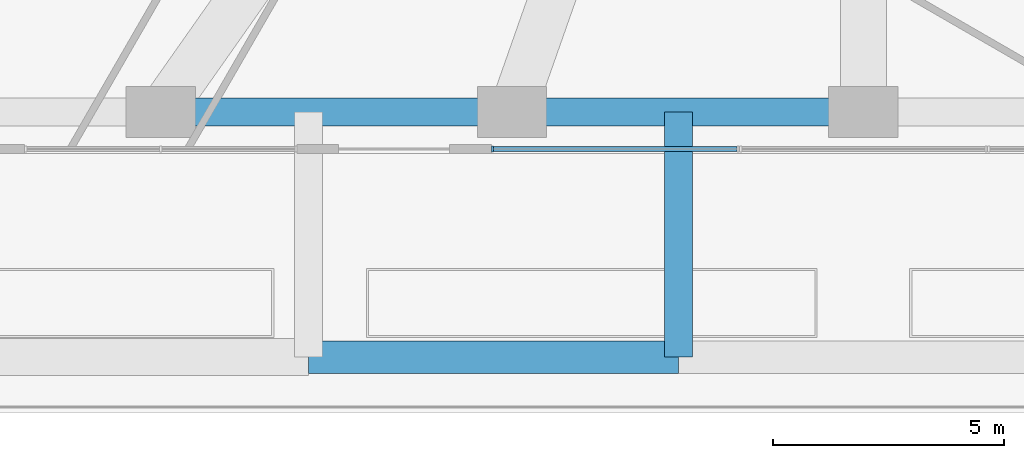
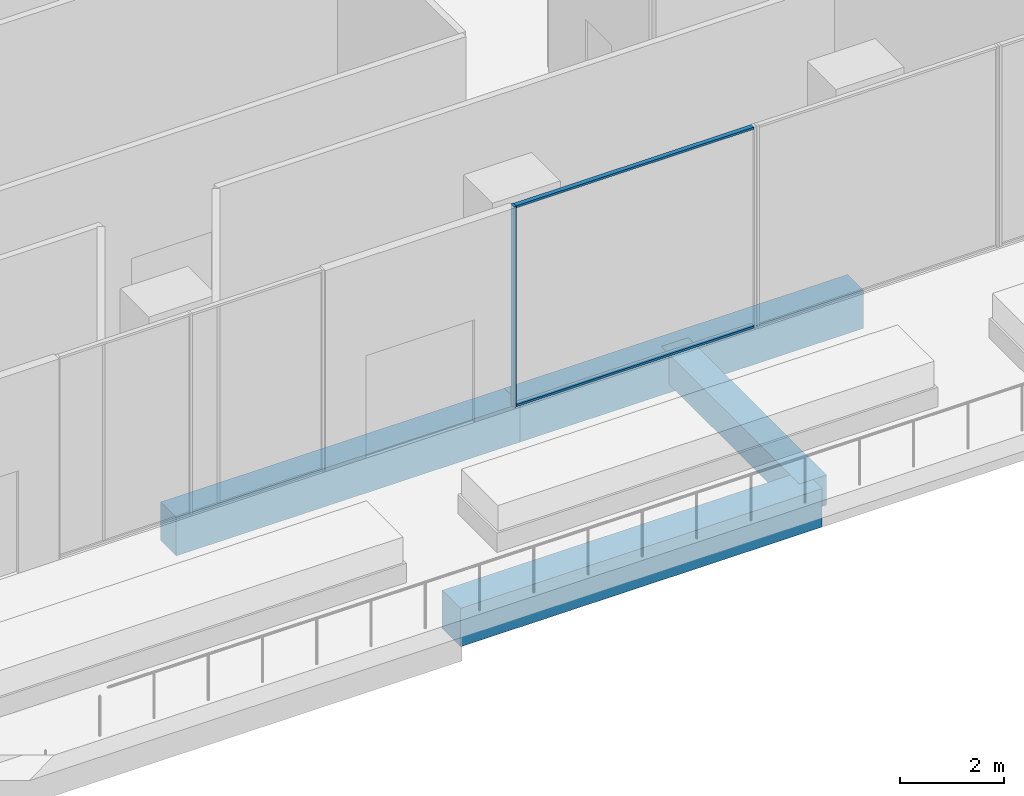
# One storey, part 4 of 28: 4 beams, 3 members, 1 element without a shape of its own.
"""IFC4 building model written with IfcOpenShell, lengths in metres."""

from ifc_helpers import new_model, si_unit, direction, frame, origin, origin_2d, place, context, subcontext, project, spatial, rectangle, extrude, material, layer, layer_set, material_profile, profile_set, type_object, element, aggregate, save


model = new_model("IFC4")

# Units and contexts
model_context = context("Model", 3, precision=1e-05, world=origin(), true_north=direction((0.0, 1.0)))
body_context = subcontext(model_context, "Body", "Model", "MODEL_VIEW")
ifc_project = project(units=[si_unit("LENGTHUNIT", "METRE"), si_unit("AREAUNIT", "SQUARE_METRE"), si_unit("VOLUMEUNIT", "CUBIC_METRE"), si_unit("PLANEANGLEUNIT", "RADIAN"), si_unit("MASSUNIT", "GRAM", prefix="KILO")], contexts=[model_context])

# Site, building, storey
site_placement = place(None, origin())
site = spatial("IfcSite", under=ifc_project, at=site_placement, CompositionType="ELEMENT")
building_placement = place(site_placement, origin())
building = spatial("IfcBuilding", under=site, at=building_placement, Name="Triada Interchange Tower", CompositionType="ELEMENT")
storey_placement = place(building_placement, frame((0.0, 0.0, 30.300048828125)))
storey = spatial("IfcBuildingStorey", under=building, at=storey_placement, Name="L05", CompositionType="ELEMENT", Elevation=30.300048828125)

# Curtain wall, member
ifc_material_1 = material(Name="Aluminium framed glazing", Category="aluminium")
ifc_layer = layer(ifc_material_1, 0.199951171875)
ifc_layer_set = layer_set([ifc_layer], Name="Curtain wall Winter garden glazing")
curtain_wall_type = type_object("IfcCurtainWallType", Name="Curtain wall Winter garden glazing", PredefinedType="NOTDEFINED", material=ifc_layer_set)
curtain_wall_placement = place(storey_placement, origin())
curtain_wall = element("IfcCurtainWall", 1, at=curtain_wall_placement, inside=storey, type_object=curtain_wall_type, Name="Winter garden glazing CW004 L05", PredefinedType="NOTDEFINED")
ifc_material_2 = material(Name="Aluminium", Category="aluminium")
ifc_material_profile_1 = material_profile(ifc_material_2, rectangle(XDim=0.1201171875, YDim=0.050048828125, at=origin_2d()), Name="Aluminium mullion")
ifc_profile_set_1 = profile_set([ifc_material_profile_1], Name="Aluminium")
member_type_1 = type_object("IfcMemberType", Name="Mullion Winter garden glazing 120x50", PredefinedType="MULLION", material=ifc_profile_set_1)
member_1_placement = place(storey_placement, frame((-8.02099609375, -22.39990234375, 0.0), z_axis=(0.0, 0.0, 1.0), x_axis=(0.0, 1.0, 0.0)))
member_1 = element("IfcMember", 2, at=member_1_placement, type_object=member_type_1, Name="CW004 mullion 1", PredefinedType="MULLION", context=body_context, shape_type="SweptSolid", body=[
    extrude(rectangle(XDim=0.1201171875, YDim=0.050048828125, at=origin_2d()), origin(), (0.0, 0.0, 1.0), 4.699951171875),
])

# Beams
ifc_material_3 = material(Name="Concrete C50/60", Category="concrete")
ifc_material_profile_2 = material_profile(ifc_material_3, rectangle(XDim=0.60009765625, YDim=0.89990234375, at=origin_2d()), Name="RC 600x900")
ifc_profile_set_2 = profile_set([ifc_material_profile_2], Name="Concrete C50/60")
beam_type_1 = type_object("IfcBeamType", Name="Spandrel beam P RC 600x900", PredefinedType="BEAM", material=ifc_profile_set_2)
beam_1_placement = place(storey_placement, frame((-15.197998046875, -21.60009765625, -0.85009765625), z_axis=(1.0, 0.0, 0.0), x_axis=(0.0, 1.0, 0.0)))
element("IfcBeam", 3, at=beam_1_placement, inside=storey, type_object=beam_type_1, Name="Spandrel beam EP13 L05", PredefinedType="BEAM", context=body_context, shape_type="SweptSolid", body=[
    extrude(rectangle(XDim=0.60009765625, YDim=0.89990234375, at=origin_2d()), origin(), (0.0, 0.0, 1.0), 7.598876953125),
])
beam_2_placement = place(storey_placement, frame((-7.59912109375, -21.60009765625, -0.85009765625), z_axis=(1.0, 0.0, 0.0), x_axis=(0.0, 1.0, 0.0)))
element("IfcBeam", 4, at=beam_2_placement, inside=storey, type_object=beam_type_1, Name="Spandrel beam EP14 L05", PredefinedType="BEAM", context=body_context, shape_type="SweptSolid", body=[
    extrude(rectangle(XDim=0.60009765625, YDim=0.89990234375, at=origin_2d()), origin(), (0.0, 0.0, 1.0), 7.59912109375),
])
ifc_material_4 = material(Name="Concrete C40/50", Category="concrete")
ifc_material_profile_3 = material_profile(ifc_material_4, rectangle(XDim=0.60009765625, YDim=0.699951171875, at=origin_2d()), Name="RC 600x700")
ifc_profile_set_3 = profile_set([ifc_material_profile_3], Name="Concrete C40/50")
beam_type_2 = type_object("IfcBeamType", Name="Terrace beam RC 600x700", PredefinedType="BEAM", material=ifc_profile_set_3)
beam_3_placement = place(storey_placement, frame((-4.0, -26.89990234375, -0.75), z_axis=(0.0, 1.0, 0.0), x_axis=(-1.0, 0.0, 0.0)))
element("IfcBeam", 5, at=beam_3_placement, inside=storey, type_object=beam_type_2, Name="Terrace beam TE03 L05", PredefinedType="BEAM", context=body_context, shape_type="SweptSolid", body=[
    extrude(rectangle(XDim=0.60009765625, YDim=0.699951171875, at=origin_2d()), origin(), (0.0, 0.0, 1.0), 5.2998046875),
])
ifc_material_profile_4 = material_profile(ifc_material_4, rectangle(XDim=0.699951171875, YDim=0.89990234375, at=origin_2d()), Name="RC 700x900")
ifc_profile_set_4 = profile_set([ifc_material_profile_4], Name="Concrete C40/50")
beam_type_3 = type_object("IfcBeamType", Name="Terrace beam RC 700x900", PredefinedType="BEAM", material=ifc_profile_set_4)
beam_4_placement = place(storey_placement, frame((-12.0, -26.89990234375, -0.85009765625), z_axis=(1.0, 0.0, 0.0), x_axis=(0.0, 1.0, 0.0)))
element("IfcBeam", 6, at=beam_4_placement, inside=storey, type_object=beam_type_3, Name="Terrace beam TE08 L05", PredefinedType="BEAM", context=body_context, shape_type="SweptSolid", body=[
    extrude(rectangle(XDim=0.699951171875, YDim=0.89990234375, at=origin_2d()), origin(), (0.0, 0.0, 1.0), 8.0),
])

# Member
ifc_material_profile_5 = material_profile(ifc_material_2, rectangle(XDim=0.10009765625, YDim=0.050048828125, at=origin_2d()), Name="Aluminium transom")
ifc_profile_set_5 = profile_set([ifc_material_profile_5], Name="Aluminium")
member_type_2 = type_object("IfcMemberType", Name="Transom Winter garden glazing 100x50", PredefinedType="USERDEFINED", material=ifc_profile_set_5)
member_2_placement = place(storey_placement, frame((-7.99609375, -22.39990234375, 0.02490234375), z_axis=(1.0, 0.0, 0.0), x_axis=(0.0, 1.0, 0.0)))
member_2 = element("IfcMember", 7, at=member_2_placement, type_object=member_type_2, Name="CW004 transom 1.1", ObjectType="TRANSOM", PredefinedType="USERDEFINED", context=body_context, shape_type="SweptSolid", body=[
    extrude(rectangle(XDim=0.10009765625, YDim=0.050048828125, at=origin_2d()), origin(), (0.0, 0.0, 1.0), 5.259033203125),
])

member_3_placement = place(storey_placement, frame((-7.99609375, -22.39990234375, 4.675048828125), z_axis=(1.0, 0.0, 0.0), x_axis=(0.0, 1.0, 0.0)))
member_3 = element("IfcMember", 8, at=member_3_placement, type_object=member_type_2, Name="CW004 transom 1.2", ObjectType="TRANSOM", PredefinedType="USERDEFINED", context=body_context, shape_type="SweptSolid", body=[
    extrude(rectangle(XDim=0.10009765625, YDim=0.050048828125, at=origin_2d()), origin(), (0.0, 0.0, 1.0), 5.259033203125),
])

aggregate(curtain_wall, [member_1, member_2, member_3])

save(model, "model.ifc")
